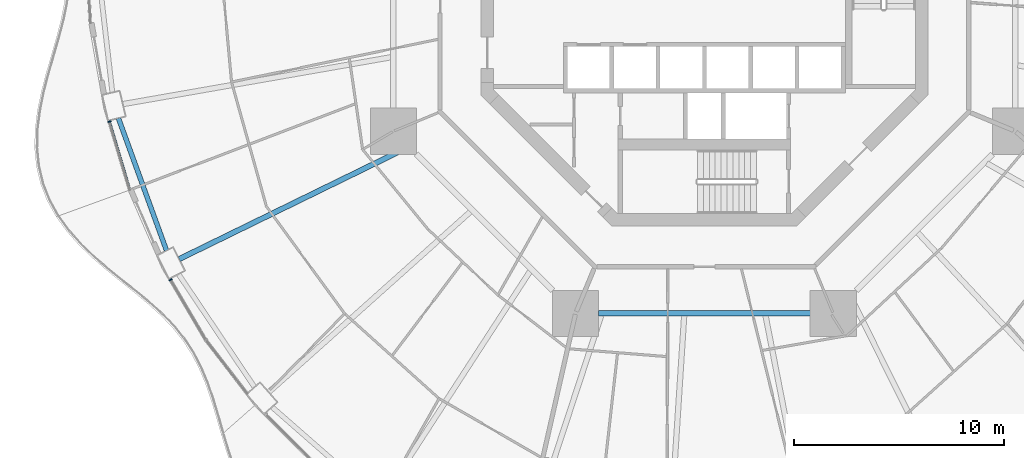
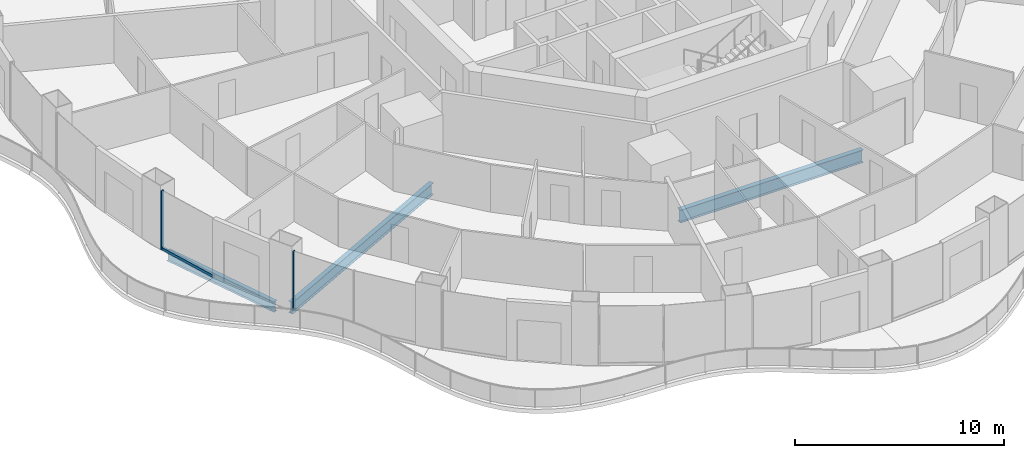
# One storey, part 3 of 22: 3 beams, 3 members, 2 elements without a shape of their own.
"""IFC4 building model written with IfcOpenShell, lengths in metres."""

from ifc_helpers import new_model, si_unit, direction, frame, origin, origin_2d, place, context, subcontext, project, spatial, rectangle, i_section, extrude, material, layer, layer_set, material_profile, profile_set, type_object, element, aggregate, save


model = new_model("IFC4")

# Units and contexts
model_context = context("Model", 3, precision=1e-05, world=origin(), true_north=direction((0.0, 1.0)))
body_context = subcontext(model_context, "Body", "Model", "MODEL_VIEW")
ifc_project = project(units=[si_unit("LENGTHUNIT", "METRE"), si_unit("AREAUNIT", "SQUARE_METRE"), si_unit("VOLUMEUNIT", "CUBIC_METRE"), si_unit("PLANEANGLEUNIT", "RADIAN"), si_unit("MASSUNIT", "GRAM", prefix="KILO")], contexts=[model_context])

# Site, building, storey
site_placement = place(None, origin())
site = spatial("IfcSite", under=ifc_project, at=site_placement, CompositionType="ELEMENT")
building_placement = place(site_placement, origin())
building = spatial("IfcBuilding", under=site, at=building_placement, Name="Nagisa Residences", CompositionType="ELEMENT")
storey_placement = place(building_placement, frame((0.0, 0.0, 80.699951171875)))
storey = spatial("IfcBuildingStorey", under=building, at=storey_placement, Name="L19", CompositionType="ELEMENT", Elevation=80.699951171875)

# Curtain wall, member
ifc_material_1 = material(Name="Concrete-coloured aluminium curtain wall system", Category="concrete")
ifc_layer = layer(ifc_material_1, 0.159912109375)
ifc_layer_set = layer_set([ifc_layer], Name="CW1 CURTAIN WALL")
curtain_wall_type = type_object("IfcCurtainWallType", Name="CW1 CURTAIN WALL", PredefinedType="NOTDEFINED", material=ifc_layer_set)
curtain_wall_1_placement = place(storey_placement, origin())
curtain_wall_1 = element("IfcCurtainWall", 1, at=curtain_wall_1_placement, inside=storey, type_object=curtain_wall_type, Name="cw:CW1:L19:26", PredefinedType="NOTDEFINED")
ifc_material_2 = material(Name="Concrete-coloured aluminium", Category="concrete")
ifc_material_profile_1 = material_profile(ifc_material_2, rectangle(XDim=0.159912109375, YDim=0.06005859375, at=origin_2d()), Name="CW1 MULLION 160x60")
ifc_profile_set_1 = profile_set([ifc_material_profile_1], Name="Concrete-coloured aluminium")
member_type_1 = type_object("IfcMemberType", Name="CW1 MULLION 160x60", PredefinedType="MULLION", material=ifc_profile_set_1)
member_1_placement = place(storey_placement, frame((-28.2802734375, -5.667724609375, 0.0), z_axis=(0.0, 0.0, 1.0), x_axis=(0.958271310082, 0.285860274038, 0.0)))
member_1 = element("IfcMember", 2, at=member_1_placement, type_object=member_type_1, Name="CW1 mullion", PredefinedType="MULLION", context=body_context, shape_type="SweptSolid", body=[
    extrude(rectangle(XDim=0.159912109375, YDim=0.06005859375, at=origin_2d()), origin(), (0.0, 0.0, 1.0), 3.43994140625),
])

curtain_wall_2_placement = place(storey_placement, origin())
curtain_wall_2 = element("IfcCurtainWall", 3, at=curtain_wall_2_placement, inside=storey, type_object=curtain_wall_type, Name="cw:CW1:L19:28", PredefinedType="NOTDEFINED")
member_2_placement = place(storey_placement, frame((-25.371337890625, -13.185791015625, 0.0), z_axis=(0.0, 0.0, 1.0), x_axis=(0.862328898214, 0.506348567002, 0.0)))
member_2 = element("IfcMember", 4, at=member_2_placement, type_object=member_type_1, Name="CW1 mullion", PredefinedType="MULLION", context=body_context, shape_type="SweptSolid", body=[
    extrude(rectangle(XDim=0.159912109375, YDim=0.06005859375, at=origin_2d()), origin(), (0.0, 0.0, 1.0), 3.43994140625),
])
aggregate(curtain_wall_2, [member_2])

# Member
ifc_material_3 = material(Name="Concrete-coloured aluminium", Category="concrete")
ifc_material_profile_2 = material_profile(ifc_material_3, rectangle(XDim=0.1201171875, YDim=0.14990234375, at=origin_2d()), Name="CW1 TRANSOM 120x150")
ifc_profile_set_2 = profile_set([ifc_material_profile_2], Name="Concrete-coloured aluminium")
member_type_2 = type_object("IfcMemberType", Name="CW1 TRANSOM 120x150", PredefinedType="USERDEFINED", material=ifc_profile_set_2)
member_3_placement = place(storey_placement, frame((-28.288818359375, -5.638916015625, 0.074951171875), z_axis=(0.285816610469, -0.958284334203, 0.0), x_axis=(0.958284334203, 0.285816610469, 0.0)))
member_3 = element("IfcMember", 5, at=member_3_placement, type_object=member_type_2, Name="CW1 transom", ObjectType="TRANSOM", PredefinedType="USERDEFINED", context=body_context, shape_type="SweptSolid", body=[
    extrude(rectangle(XDim=0.1201171875, YDim=0.14990234375, at=origin_2d()), origin(), (0.0, 0.0, 1.0), 3.423583984375),
])

aggregate(curtain_wall_1, [member_1, member_3])

# Beams
ifc_material_4 = material(Name="Steel ASTM A572 Gr 50", Category="steel")
ifc_material_profile_3 = material_profile(ifc_material_4, i_section(OverallWidth=0.264892578125, OverallDepth=0.7529296875, WebThickness=0.01318359375, FlangeThickness=0.01708984375, at=origin_2d()), Name="W760x147")
ifc_profile_set_3 = profile_set([ifc_material_profile_3], Name="Steel ASTM A572 Gr 50")
beam_type_1 = type_object("IfcBeamType", Name="Inner ring beam W760x147", PredefinedType="BEAM", material=ifc_profile_set_3)
beam_1_placement = place(storey_placement, frame((-5.04296875, -14.781982421875, -0.636474609375), z_axis=(1.0, 0.0, 0.0), x_axis=(0.0, 1.0, 0.0)))
element("IfcBeam", 6, at=beam_1_placement, inside=storey, type_object=beam_type_1, Name="beam:L19:ib6", PredefinedType="BEAM", context=body_context, shape_type="SweptSolid", body=[
    extrude(i_section(OverallWidth=0.264892578125, OverallDepth=0.7529296875, WebThickness=0.01318359375, FlangeThickness=0.01708984375, at=origin_2d()), origin(), (0.0, 0.0, 1.0), 10.0859375),
])
ifc_material_5 = material(Name="Steel ASTM A572 Gr 50", Category="steel")
ifc_material_profile_4 = material_profile(ifc_material_5, i_section(OverallWidth=0.22802734375, OverallDepth=0.60302734375, WebThickness=0.010498046875, FlangeThickness=0.014892578125, at=origin_2d()), Name="W610x101")
ifc_profile_set_4 = profile_set([ifc_material_profile_4], Name="Steel ASTM A572 Gr 50")
beam_type_2 = type_object("IfcBeamType", Name="Perimeter ring beam W610x101", PredefinedType="BEAM", material=ifc_profile_set_4)
beam_2_placement = place(storey_placement, frame((-27.851806640625, -5.505859375, -0.5615234375), z_axis=(0.341365002286, -0.939930814057, 0.0), x_axis=(0.939930814057, 0.341365002286, 0.0)))
element("IfcBeam", 7, at=beam_2_placement, inside=storey, type_object=beam_type_2, Name="beam:L19:pb14", PredefinedType="BEAM", context=body_context, shape_type="SweptSolid", body=[
    extrude(i_section(OverallWidth=0.22802734375, OverallDepth=0.60302734375, WebThickness=0.010498046875, FlangeThickness=0.014892578125, at=origin_2d()), origin(), (0.0, 0.0, 1.0), 6.689208984375),
])
ifc_material_6 = material(Name="Steel ASTM A572 Gr 50", Category="steel")
ifc_material_profile_5 = material_profile(ifc_material_6, i_section(OverallWidth=0.2529296875, OverallDepth=0.677978515625, WebThickness=0.01171875, FlangeThickness=0.016357421875, at=origin_2d()), Name="W690x125")
ifc_profile_set_5 = profile_set([ifc_material_profile_5], Name="Steel ASTM A572 Gr 50")
beam_type_3 = type_object("IfcBeamType", Name="Radial beam W690x125", PredefinedType="BEAM", material=ifc_profile_set_5)
beam_3_placement = place(storey_placement, frame((-24.965087890625, -12.200927734375, -0.598876953125), z_axis=(0.898446773802, 0.439082446296, 0.0), x_axis=(-0.439082446296, 0.898446773802, 0.0)))
element("IfcBeam", 8, at=beam_3_placement, inside=storey, type_object=beam_type_3, Name="beam:L19:rb15", PredefinedType="BEAM", context=body_context, shape_type="SweptSolid", body=[
    extrude(i_section(OverallWidth=0.2529296875, OverallDepth=0.677978515625, WebThickness=0.01171875, FlangeThickness=0.016357421875, at=origin_2d()), origin(), (0.0, 0.0, 1.0), 12.037353515625),
])

save(model, "model.ifc")
